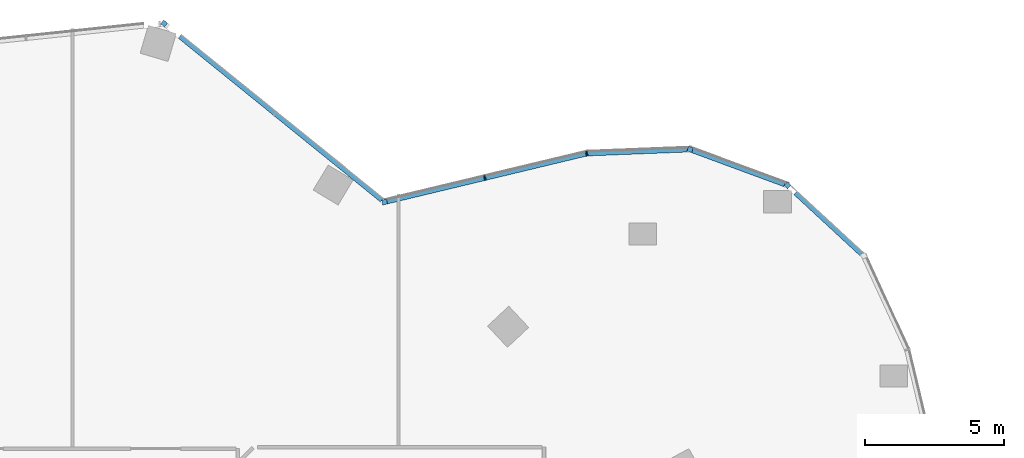
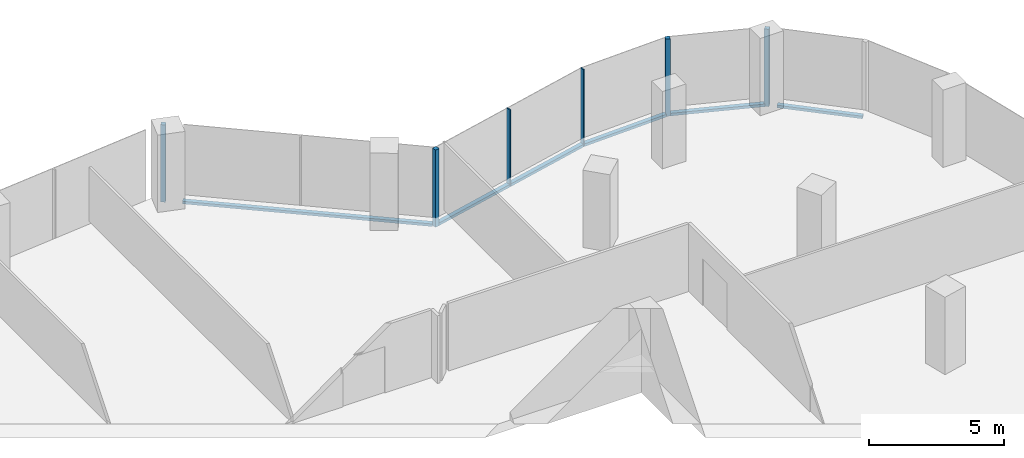
# One storey, part 12 of 23: 11 members, 5 elements without a shape of their own.
"""IFC4 building model written with IfcOpenShell, lengths in metres."""

import ifcopenshell
import ifcopenshell.guid

model = None  # the IFC model being written
_history = None  # IfcOwnerHistory: only IFC2X3 demands one
_inside = {}  # id of a spatial element -> (the spatial element, [elements in it])
_under = {}  # id of a project, library or spatial element -> (it, [spatial elements below it])
_declared = {}  # id of a project -> (the project, [libraries it declares])
_typed = {}  # id of a type object -> (the type object, [elements of that type])
_made_of = {}  # id of a material, layer set ... -> (it, [elements and type objects made of it])


def new_model(schema):
    """Start an empty IFC model of exactly this schema.

    Asked for "IFC4X3", IfcOpenShell would pick the latest addendum, in which some entities
    have other attributes; the version numbers below select the first issue.
    IFC2X3 requires an IfcOwnerHistory on every rooted entity: one is made here for all.
    """
    global model, _history
    if schema == "IFC4X3":
        model = ifcopenshell.file(schema_version=(4, 3, 0, 0))
    else:
        model = ifcopenshell.file(schema=schema)
    _inside.clear()
    _under.clear()
    _declared.clear()
    _typed.clear()
    _made_of.clear()
    _history = None
    if model.schema == "IFC2X3":
        org = make("IfcOrganization", Name="unknown")
        user = make(
            "IfcPersonAndOrganization",
            ThePerson=make("IfcPerson", FamilyName="unknown"),
            TheOrganization=org,
        )
        app = make(
            "IfcApplication",
            ApplicationDeveloper=org,
            Version="unknown",
            ApplicationFullName="unknown",
            ApplicationIdentifier="unknown",
        )
        _history = make(
            "IfcOwnerHistory",
            OwningUser=user,
            OwningApplication=app,
            ChangeAction="ADDED",
            CreationDate=0,
        )
    return model


def make(cls, **values):
    """One entity of the class cls with the attributes given. An attribute that is None is left unset."""
    return model.create_entity(
        cls, **{name: value for name, value in values.items() if value is not None}
    )


def rooted(cls, **values):
    """An entity with a GlobalId (a new one), such as an element, a storey or a relation."""
    return make(cls, GlobalId=ifcopenshell.guid.new(), OwnerHistory=_history, **values)


def si_unit(unit_type, name, prefix=None):
    """IfcSIUnit, for example si_unit("LENGTHUNIT", "METRE", prefix="MILLI")."""
    return make("IfcSIUnit", UnitType=unit_type, Prefix=prefix, Name=name)


def assignment(units):
    """IfcUnitAssignment: the units of a project."""
    return None if units is None else make("IfcUnitAssignment", Units=units)


def point(xyz):
    """IfcCartesianPoint."""
    return None if xyz is None else make("IfcCartesianPoint", Coordinates=xyz)


def direction(xyz):
    """IfcDirection."""
    return None if xyz is None else make("IfcDirection", DirectionRatios=xyz)


def frame(location, z_axis=None, x_axis=None):
    """IfcAxis2Placement3D, a coordinate frame: its origin and axes. An axis left out is left unset."""
    return make(
        "IfcAxis2Placement3D",
        Location=point(location),
        Axis=direction(z_axis),
        RefDirection=direction(x_axis),
    )


def frame_2d(location, x_axis=None):
    """IfcAxis2Placement2D, a coordinate frame in the plane: its origin and x axis."""
    return make(
        "IfcAxis2Placement2D", Location=point(location), RefDirection=direction(x_axis)
    )


def origin():
    """The frame at (0, 0, 0) with its axes left unset."""
    return frame((0.0, 0.0, 0.0))


def origin_2d():
    """The frame at (0, 0) in the plane with its x axis left unset."""
    return frame_2d((0.0, 0.0))


def place(relative_to, where):
    """IfcLocalPlacement: puts the frame where relative to a parent placement (None: the world)."""
    return make(
        "IfcLocalPlacement", PlacementRelTo=relative_to, RelativePlacement=where
    )


def context(
    kind, dimensions, precision=None, world=None, true_north=None, identifier=None
):
    """IfcGeometricRepresentationContext, for example the 3D "Model" context."""
    return make(
        "IfcGeometricRepresentationContext",
        ContextIdentifier=identifier,
        ContextType=kind,
        CoordinateSpaceDimension=dimensions,
        Precision=precision,
        WorldCoordinateSystem=world,
        TrueNorth=true_north,
    )


def subcontext(parent, identifier, kind, view, scale=None):
    """IfcGeometricRepresentationSubContext, for example "Body" below "Model"."""
    return make(
        "IfcGeometricRepresentationSubContext",
        ContextIdentifier=identifier,
        ContextType=kind,
        ParentContext=parent,
        TargetScale=scale,
        TargetView=view,
    )


def project(units=None, contexts=None):
    """IfcProject with its units and contexts."""
    return rooted(
        "IfcProject",
        Name="project",
        RepresentationContexts=contexts,
        UnitsInContext=assignment(units),
    )


def spatial(cls, under=None, at=None, **own):
    """A site, building, storey or space (cls), placed at a placement, below another one or the project."""
    s = rooted(cls, ObjectPlacement=at, **own)
    if under is not None:
        _under.setdefault(under.id(), (under, []))[1].append(s)
    return s


def profile(cls, at=None, kind="AREA", **sizes):
    """A parametric profile (cls). Its sizes go by their IFC names, for example OverallWidth=200.0."""
    return make(cls, ProfileType=kind, Position=at, **sizes)


def rectangle(**sizes):
    """IfcRectangleProfileDef."""
    return profile("IfcRectangleProfileDef", **sizes)


def extrude(swept, where, along, depth):
    """IfcExtrudedAreaSolid: the profile swept, set in the frame where, extruded along a direction by depth."""
    return make(
        "IfcExtrudedAreaSolid",
        SweptArea=swept,
        Position=where,
        ExtrudedDirection=direction(along),
        Depth=depth,
    )


def shape(context_of_items, identifier, shape_type, items):
    """IfcShapeRepresentation: the items that make up one representation, for example the "Body"."""
    return make(
        "IfcShapeRepresentation",
        ContextOfItems=context_of_items,
        RepresentationIdentifier=identifier,
        RepresentationType=shape_type,
        Items=items,
    )


def material(Name=None, Category=None):
    """IfcMaterial."""
    return make("IfcMaterial", Name=Name, Category=Category)


def material_profile(
    of_material, cross_section, Name=None, Category=None, Priority=None
):
    """IfcMaterialProfile: a cross section and its material."""
    return make(
        "IfcMaterialProfile",
        Name=Name,
        Material=of_material,
        Profile=cross_section,
        Priority=Priority,
        Category=Category,
    )


def profile_set(profiles, Name=None, composite=None):
    """IfcMaterialProfileSet."""
    return make(
        "IfcMaterialProfileSet",
        Name=Name,
        MaterialProfiles=profiles,
        CompositeProfile=composite,
    )


def made_of(thing, what):
    """Note that an element or type object is made of a material, layer set ...; save() writes the relation."""
    if what is not None:
        _made_of.setdefault(what.id(), (what, []))[1].append(thing)
    return thing


def type_object(cls, material=None, **own):
    """A type object (cls), such as IfcWallType, which elements share."""
    return made_of(rooted(cls, **own), material)


def element(
    cls,
    number,
    at=None,
    inside=None,
    cuts=None,
    type_object=None,
    material=None,
    context=None,
    identifier="Body",
    shape_type=None,
    held_by="IfcProductDefinitionShape",
    body=None,
    shapes=None,
    **own,
):
    """One element of the class cls, such as IfcWall. Its Tag is "e" and its number.

    at: its placement. inside: the storey or other place that contains it. cuts: it is an
    opening in that element (IfcRelVoidsElement). A single representation is given by context,
    identifier, shape_type and body (its items); several are given by shapes. held_by: the class
    of the entity that holds the representations. save() writes the other relations.
    """
    e = rooted(cls, Tag="e%d" % number, ObjectPlacement=at, **own)
    if body is not None:
        shapes = [shape(context, identifier, shape_type, body)]
    if shapes is not None:
        e.Representation = make(held_by, Representations=shapes)
    if inside is not None:
        _inside.setdefault(inside.id(), (inside, []))[1].append(e)
    if cuts is not None:
        rooted(
            "IfcRelVoidsElement", RelatingBuildingElement=cuts, RelatedOpeningElement=e
        )
    if type_object is not None:
        _typed.setdefault(type_object.id(), (type_object, []))[1].append(e)
    return made_of(e, material)


def aggregate(whole, parts):
    """IfcRelAggregates: a whole, such as a stair, and the parts it consists of."""
    return rooted("IfcRelAggregates", RelatingObject=whole, RelatedObjects=parts)


def save(model, path):
    """Write the relations noted so far, then the file.

    IfcRelAggregates (storeys below a building ...), IfcRelContainedInSpatialStructure (elements
    in a storey), IfcRelDefinesByType, IfcRelAssociatesMaterial and IfcRelDeclares: one each for
    every whole, place, type object, material and project.
    """
    for whole, parts in _under.values():
        aggregate(whole, parts)
    for where, things in _inside.values():
        rooted(
            "IfcRelContainedInSpatialStructure",
            RelatedElements=things,
            RelatingStructure=where,
        )
    for kind, things in _typed.values():
        rooted("IfcRelDefinesByType", RelatedObjects=things, RelatingType=kind)
    for what, things in _made_of.values():
        rooted("IfcRelAssociatesMaterial", RelatedObjects=things, RelatingMaterial=what)
    for by, libraries in _declared.values():
        rooted("IfcRelDeclares", RelatingContext=by, RelatedDefinitions=libraries)
    model.write(path)


model = new_model("IFC4")

# Units and contexts
model_context = context("Model", 3, precision=1e-05, world=origin(), true_north=direction((0.0, 1.0)))
body_context = subcontext(model_context, "Body", "Model", "MODEL_VIEW")
ifc_project = project(units=[si_unit("LENGTHUNIT", "METRE"), si_unit("AREAUNIT", "SQUARE_METRE"), si_unit("VOLUMEUNIT", "CUBIC_METRE"), si_unit("PLANEANGLEUNIT", "RADIAN"), si_unit("MASSUNIT", "GRAM", prefix="KILO")], contexts=[model_context])

# Site, building, storey
site_placement = place(None, origin())
site = spatial("IfcSite", under=ifc_project, at=site_placement, CompositionType="ELEMENT")
building_placement = place(site_placement, origin())
building = spatial("IfcBuilding", under=site, at=building_placement, Name="Orlundy Tower", CompositionType="ELEMENT")
storey_placement = place(building_placement, frame((0.0, 0.0, 221.0)))
storey = spatial("IfcBuildingStorey", under=building, at=storey_placement, Name="L58", CompositionType="ELEMENT", Elevation=221.0)

# Curtain wall, member
ifc_material_1 = material(Name="Aluminium bronze anodised", Category="aluminium")
curtain_wall_type = type_object("IfcCurtainWallType", Name="CW1 wall", PredefinedType="NOTDEFINED", material=ifc_material_1)
curtain_wall_1_placement = place(storey_placement, origin())
curtain_wall_1 = element("IfcCurtainWall", 1, at=curtain_wall_1_placement, inside=storey, type_object=curtain_wall_type, Name="CW1 run 05", PredefinedType="NOTDEFINED")
ifc_material_2 = material(Name="Aluminium bronze anodised", Category="aluminium")
ifc_material_profile_1 = material_profile(ifc_material_2, rectangle(XDim=0.179931640625, YDim=0.179931640625, at=origin_2d()), Name="CW1 corner post 180x180")
ifc_profile_set_1 = profile_set([ifc_material_profile_1], Name="Aluminium bronze anodised")
member_type_1 = type_object("IfcMemberType", Name="CW1 corner post 180x180", PredefinedType="MULLION", material=ifc_profile_set_1)
member_1_placement = place(storey_placement, frame((9.249755859375, 31.228515625, -0.419921875), z_axis=(0.0, 0.0, 1.0), x_axis=(0.629341524139, 0.777128847743, 0.0)))
member_1 = element("IfcMember", 2, at=member_1_placement, type_object=member_type_1, Name="CW1 mullion 20", PredefinedType="MULLION", context=body_context, shape_type="SweptSolid", body=[
    extrude(rectangle(XDim=0.179931640625, YDim=0.179931640625, at=origin_2d()), origin(), (0.0, 0.0, 1.0), 3.5),
])

curtain_wall_2_placement = place(storey_placement, origin())
curtain_wall_2 = element("IfcCurtainWall", 3, at=curtain_wall_2_placement, inside=storey, type_object=curtain_wall_type, Name="CW1 run 06", PredefinedType="NOTDEFINED")
member_2_placement = place(storey_placement, frame((17.2001953125, 24.789794921875, -0.419921875), z_axis=(0.0, 0.0, 1.0), x_axis=(-0.233528608579, 0.972349931339, 0.0)))
member_2 = element("IfcMember", 4, at=member_2_placement, type_object=member_type_1, Name="CW1 mullion 22", PredefinedType="MULLION", context=body_context, shape_type="SweptSolid", body=[
    extrude(rectangle(XDim=0.179931640625, YDim=0.179931640625, at=origin_2d()), origin(), (0.0, 0.0, 1.0), 3.5),
])

curtain_wall_3_placement = place(storey_placement, origin())
curtain_wall_3 = element("IfcCurtainWall", 5, at=curtain_wall_3_placement, inside=storey, type_object=curtain_wall_type, Name="CW1 run 08", PredefinedType="NOTDEFINED")
member_3_placement = place(storey_placement, frame((28.220458984375, 26.6865234375, -0.419921875), z_axis=(0.0, 0.0, 1.0), x_axis=(0.346092852283, 0.938200265188, 0.0)))
member_3 = element("IfcMember", 6, at=member_3_placement, type_object=member_type_1, Name="CW1 mullion 25", PredefinedType="MULLION", context=body_context, shape_type="SweptSolid", body=[
    extrude(rectangle(XDim=0.179931640625, YDim=0.179931640625, at=origin_2d()), origin(), (0.0, 0.0, 1.0), 3.5),
])

curtain_wall_4_placement = place(storey_placement, origin())
curtain_wall_4 = element("IfcCurtainWall", 7, at=curtain_wall_4_placement, inside=storey, type_object=curtain_wall_type, Name="CW1 run 09", PredefinedType="NOTDEFINED")
member_4_placement = place(storey_placement, frame((31.73193359375, 25.391357421875, -0.419921875), z_axis=(0.0, 0.0, 1.0), x_axis=(0.678772971258, 0.734348182738, 0.0)))
member_4 = element("IfcMember", 8, at=member_4_placement, type_object=member_type_1, Name="CW1 mullion 26", PredefinedType="MULLION", context=body_context, shape_type="SweptSolid", body=[
    extrude(rectangle(XDim=0.179931640625, YDim=0.179931640625, at=origin_2d()), origin(), (0.0, 0.0, 1.0), 3.5),
])

# Member
ifc_material_3 = material(Name="Aluminium bronze anodised", Category="aluminium")
ifc_material_profile_2 = material_profile(ifc_material_3, rectangle(XDim=0.179931640625, YDim=0.050048828125, at=origin_2d()), Name="CW1 mullion 50x180")
ifc_profile_set_2 = profile_set([ifc_material_profile_2], Name="Aluminium bronze anodised")
member_type_2 = type_object("IfcMemberType", Name="CW1 mullion 50x180", PredefinedType="MULLION", material=ifc_profile_set_2)
member_5_placement = place(storey_placement, frame((20.819091796875, 25.658935546875, -0.419921875), z_axis=(0.0, 0.0, 1.0), x_axis=(-0.233528608579, 0.972349931339, 0.0)))
member_5 = element("IfcMember", 9, at=member_5_placement, type_object=member_type_2, Name="CW1 mullion 23", PredefinedType="MULLION", context=body_context, shape_type="SweptSolid", body=[
    extrude(rectangle(XDim=0.179931640625, YDim=0.050048828125, at=origin_2d()), origin(), (0.0, 0.0, 1.0), 3.5),
])

# Curtain wall, member
curtain_wall_5_placement = place(storey_placement, origin())
curtain_wall_5 = element("IfcCurtainWall", 10, at=curtain_wall_5_placement, inside=storey, type_object=curtain_wall_type, Name="CW1 run 07", PredefinedType="NOTDEFINED")
member_6_placement = place(storey_placement, frame((24.489501953125, 26.54052734375, -0.419921875), z_axis=(0.0, 0.0, 1.0), x_axis=(-0.136983908445, 0.990573272821, 0.0)))
member_6 = element("IfcMember", 11, at=member_6_placement, type_object=member_type_2, Name="CW1 mullion 24", PredefinedType="MULLION", context=body_context, shape_type="SweptSolid", body=[
    extrude(rectangle(XDim=0.179931640625, YDim=0.050048828125, at=origin_2d()), origin(), (0.0, 0.0, 1.0), 3.5),
])

# Member
ifc_material_4 = material(Name="Aluminium bronze anodised", Category="aluminium")
ifc_material_profile_3 = material_profile(ifc_material_4, rectangle(XDim=0.179931640625, YDim=0.1201171875, at=origin_2d()), Name="CW1 transom 180x120")
ifc_profile_set_3 = profile_set([ifc_material_profile_3], Name="Aluminium bronze anodised")
member_type_3 = type_object("IfcMemberType", Name="CW1 transom 180x120", PredefinedType="USERDEFINED", material=ifc_profile_set_3)
member_7_placement = place(storey_placement, frame((9.81787109375, 30.768310546875, -0.360107421875), z_axis=(0.777132191198, -0.629337395523, 0.0), x_axis=(0.629337395523, 0.777132191198, 0.0)))
member_7 = element("IfcMember", 12, at=member_7_placement, type_object=member_type_3, Name="CW1 transom", ObjectType="TRANSOM", PredefinedType="USERDEFINED", context=body_context, shape_type="SweptSolid", body=[
    extrude(rectangle(XDim=0.179931640625, YDim=0.1201171875, at=origin_2d()), origin(), (0.0, 0.0, 1.0), 9.385986328125),
])

aggregate(curtain_wall_1, [member_1, member_7])

member_8_placement = place(storey_placement, frame((17.28759765625, 24.810791015625, -0.360107421875), z_axis=(0.972347959414, 0.233536818988, 0.0), x_axis=(-0.233536818988, 0.972347959414, 0.0)))
member_8 = element("IfcMember", 13, at=member_8_placement, type_object=member_type_3, Name="CW1 transom", ObjectType="TRANSOM", PredefinedType="USERDEFINED", context=body_context, shape_type="SweptSolid", body=[
    extrude(rectangle(XDim=0.179931640625, YDim=0.1201171875, at=origin_2d()), origin(), (0.0, 0.0, 1.0), 7.381591796875),
])

aggregate(curtain_wall_2, [member_2, member_5, member_8])

member_9_placement = place(storey_placement, frame((24.5146484375, 26.54150390625, -0.360107421875), z_axis=(0.999233558965, 0.039144535226, 0.0), x_axis=(-0.039144535226, 0.999233558965, 0.0)))
member_9 = element("IfcMember", 14, at=member_9_placement, type_object=member_type_3, Name="CW1 transom", ObjectType="TRANSOM", PredefinedType="USERDEFINED", context=body_context, shape_type="SweptSolid", body=[
    extrude(rectangle(XDim=0.179931640625, YDim=0.1201171875, at=origin_2d()), origin(), (0.0, 0.0, 1.0), 3.611083984375),
])

aggregate(curtain_wall_5, [member_6, member_9])

member_10_placement = place(storey_placement, frame((28.3046875, 26.655517578125, -0.360107421875), z_axis=(0.938211752015, -0.346061711809, 0.0), x_axis=(0.346061711809, 0.938211752015, 0.0)))
member_10 = element("IfcMember", 15, at=member_10_placement, type_object=member_type_3, Name="CW1 transom", ObjectType="TRANSOM", PredefinedType="USERDEFINED", context=body_context, shape_type="SweptSolid", body=[
    extrude(rectangle(XDim=0.179931640625, YDim=0.1201171875, at=origin_2d()), origin(), (0.0, 0.0, 1.0), 3.5556640625),
])

aggregate(curtain_wall_3, [member_3, member_10])

member_11_placement = place(storey_placement, frame((32.02001953125, 25.125, -0.360107421875), z_axis=(0.734331359819, -0.678791171117, 0.0), x_axis=(0.678791171117, 0.734331359819, 0.0)))
member_11 = element("IfcMember", 16, at=member_11_placement, type_object=member_type_3, Name="CW1 transom", ObjectType="TRANSOM", PredefinedType="USERDEFINED", context=body_context, shape_type="SweptSolid", body=[
    extrude(rectangle(XDim=0.179931640625, YDim=0.1201171875, at=origin_2d()), origin(), (0.0, 0.0, 1.0), 3.2529296875),
])

aggregate(curtain_wall_4, [member_4, member_11])

save(model, "model.ifc")
